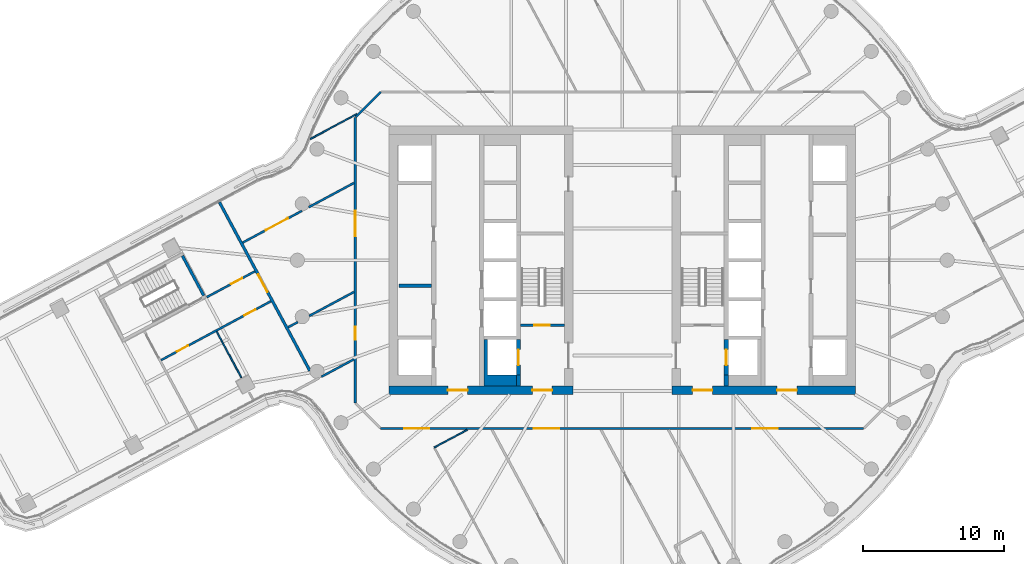
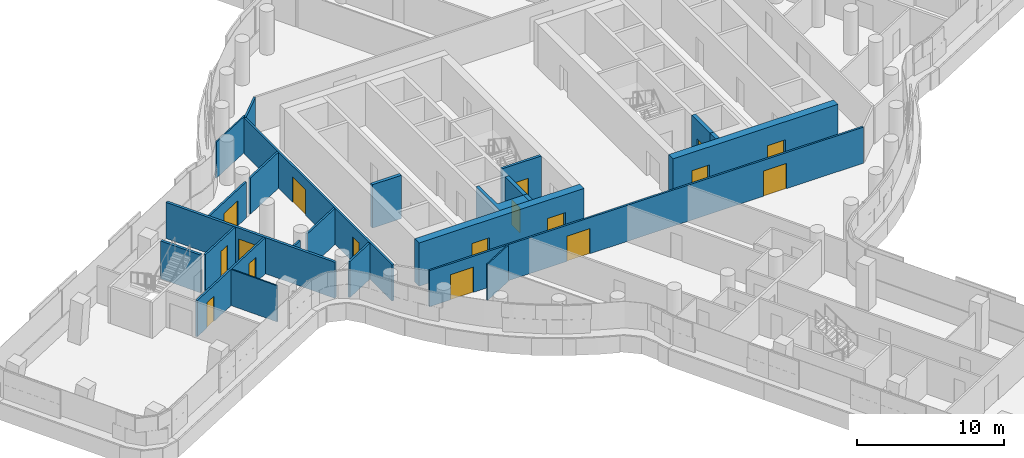
# One storey, part 20 of 33: 24 walls, 17 doors, 17 openings.
"""IFC4 building model written with IfcOpenShell, lengths in metres."""

import ifcopenshell
import ifcopenshell.guid

model = None  # the IFC model being written
_history = None  # IfcOwnerHistory: only IFC2X3 demands one
_inside = {}  # id of a spatial element -> (the spatial element, [elements in it])
_under = {}  # id of a project, library or spatial element -> (it, [spatial elements below it])
_declared = {}  # id of a project -> (the project, [libraries it declares])
_typed = {}  # id of a type object -> (the type object, [elements of that type])
_made_of = {}  # id of a material, layer set ... -> (it, [elements and type objects made of it])


def new_model(schema):
    """Start an empty IFC model of exactly this schema.

    Asked for "IFC4X3", IfcOpenShell would pick the latest addendum, in which some entities
    have other attributes; the version numbers below select the first issue.
    IFC2X3 requires an IfcOwnerHistory on every rooted entity: one is made here for all.
    """
    global model, _history
    if schema == "IFC4X3":
        model = ifcopenshell.file(schema_version=(4, 3, 0, 0))
    else:
        model = ifcopenshell.file(schema=schema)
    _inside.clear()
    _under.clear()
    _declared.clear()
    _typed.clear()
    _made_of.clear()
    _history = None
    if model.schema == "IFC2X3":
        org = make("IfcOrganization", Name="unknown")
        user = make(
            "IfcPersonAndOrganization",
            ThePerson=make("IfcPerson", FamilyName="unknown"),
            TheOrganization=org,
        )
        app = make(
            "IfcApplication",
            ApplicationDeveloper=org,
            Version="unknown",
            ApplicationFullName="unknown",
            ApplicationIdentifier="unknown",
        )
        _history = make(
            "IfcOwnerHistory",
            OwningUser=user,
            OwningApplication=app,
            ChangeAction="ADDED",
            CreationDate=0,
        )
    return model


def make(cls, **values):
    """One entity of the class cls with the attributes given. An attribute that is None is left unset."""
    return model.create_entity(
        cls, **{name: value for name, value in values.items() if value is not None}
    )


def rooted(cls, **values):
    """An entity with a GlobalId (a new one), such as an element, a storey or a relation."""
    return make(cls, GlobalId=ifcopenshell.guid.new(), OwnerHistory=_history, **values)


def si_unit(unit_type, name, prefix=None):
    """IfcSIUnit, for example si_unit("LENGTHUNIT", "METRE", prefix="MILLI")."""
    return make("IfcSIUnit", UnitType=unit_type, Prefix=prefix, Name=name)


def assignment(units):
    """IfcUnitAssignment: the units of a project."""
    return None if units is None else make("IfcUnitAssignment", Units=units)


def point(xyz):
    """IfcCartesianPoint."""
    return None if xyz is None else make("IfcCartesianPoint", Coordinates=xyz)


def direction(xyz):
    """IfcDirection."""
    return None if xyz is None else make("IfcDirection", DirectionRatios=xyz)


def frame(location, z_axis=None, x_axis=None):
    """IfcAxis2Placement3D, a coordinate frame: its origin and axes. An axis left out is left unset."""
    return make(
        "IfcAxis2Placement3D",
        Location=point(location),
        Axis=direction(z_axis),
        RefDirection=direction(x_axis),
    )


def frame_2d(location, x_axis=None):
    """IfcAxis2Placement2D, a coordinate frame in the plane: its origin and x axis."""
    return make(
        "IfcAxis2Placement2D", Location=point(location), RefDirection=direction(x_axis)
    )


def origin():
    """The frame at (0, 0, 0) with its axes left unset."""
    return frame((0.0, 0.0, 0.0))


def place(relative_to, where):
    """IfcLocalPlacement: puts the frame where relative to a parent placement (None: the world)."""
    return make(
        "IfcLocalPlacement", PlacementRelTo=relative_to, RelativePlacement=where
    )


def context(
    kind, dimensions, precision=None, world=None, true_north=None, identifier=None
):
    """IfcGeometricRepresentationContext, for example the 3D "Model" context."""
    return make(
        "IfcGeometricRepresentationContext",
        ContextIdentifier=identifier,
        ContextType=kind,
        CoordinateSpaceDimension=dimensions,
        Precision=precision,
        WorldCoordinateSystem=world,
        TrueNorth=true_north,
    )


def subcontext(parent, identifier, kind, view, scale=None):
    """IfcGeometricRepresentationSubContext, for example "Body" below "Model"."""
    return make(
        "IfcGeometricRepresentationSubContext",
        ContextIdentifier=identifier,
        ContextType=kind,
        ParentContext=parent,
        TargetScale=scale,
        TargetView=view,
    )


def project(units=None, contexts=None):
    """IfcProject with its units and contexts."""
    return rooted(
        "IfcProject",
        Name="project",
        RepresentationContexts=contexts,
        UnitsInContext=assignment(units),
    )


def spatial(cls, under=None, at=None, **own):
    """A site, building, storey or space (cls), placed at a placement, below another one or the project."""
    s = rooted(cls, ObjectPlacement=at, **own)
    if under is not None:
        _under.setdefault(under.id(), (under, []))[1].append(s)
    return s


def polyline(points):
    """IfcPolyline through the points."""
    return make("IfcPolyline", Points=[point(p) for p in points])


def profile(cls, at=None, kind="AREA", **sizes):
    """A parametric profile (cls). Its sizes go by their IFC names, for example OverallWidth=200.0."""
    return make(cls, ProfileType=kind, Position=at, **sizes)


def rectangle(**sizes):
    """IfcRectangleProfileDef."""
    return profile("IfcRectangleProfileDef", **sizes)


def outline(outer, holes=None, kind="AREA"):
    """IfcArbitraryClosedProfileDef: a profile drawn as a closed curve; with holes, ...WithVoids."""
    if holes is None:
        return make("IfcArbitraryClosedProfileDef", ProfileType=kind, OuterCurve=outer)
    return make(
        "IfcArbitraryProfileDefWithVoids",
        ProfileType=kind,
        OuterCurve=outer,
        InnerCurves=holes,
    )


def extrude(swept, where, along, depth):
    """IfcExtrudedAreaSolid: the profile swept, set in the frame where, extruded along a direction by depth."""
    return make(
        "IfcExtrudedAreaSolid",
        SweptArea=swept,
        Position=where,
        ExtrudedDirection=direction(along),
        Depth=depth,
    )


def shape(context_of_items, identifier, shape_type, items):
    """IfcShapeRepresentation: the items that make up one representation, for example the "Body"."""
    return make(
        "IfcShapeRepresentation",
        ContextOfItems=context_of_items,
        RepresentationIdentifier=identifier,
        RepresentationType=shape_type,
        Items=items,
    )


def material(Name=None, Category=None):
    """IfcMaterial."""
    return make("IfcMaterial", Name=Name, Category=Category)


def layer(
    of_material, thickness, ventilated=None, Name=None, Category=None, Priority=None
):
    """IfcMaterialLayer: one layer of a wall or slab, of a material (None: an air gap)."""
    return make(
        "IfcMaterialLayer",
        Material=of_material,
        LayerThickness=thickness,
        IsVentilated=ventilated,
        Name=Name,
        Category=Category,
        Priority=Priority,
    )


def layer_set(layers, Name=None):
    """IfcMaterialLayerSet."""
    return make("IfcMaterialLayerSet", MaterialLayers=layers, LayerSetName=Name)


def made_of(thing, what):
    """Note that an element or type object is made of a material, layer set ...; save() writes the relation."""
    if what is not None:
        _made_of.setdefault(what.id(), (what, []))[1].append(thing)
    return thing


def type_object(cls, material=None, **own):
    """A type object (cls), such as IfcWallType, which elements share."""
    return made_of(rooted(cls, **own), material)


def element(
    cls,
    number,
    at=None,
    inside=None,
    cuts=None,
    type_object=None,
    material=None,
    context=None,
    identifier="Body",
    shape_type=None,
    held_by="IfcProductDefinitionShape",
    body=None,
    shapes=None,
    **own,
):
    """One element of the class cls, such as IfcWall. Its Tag is "e" and its number.

    at: its placement. inside: the storey or other place that contains it. cuts: it is an
    opening in that element (IfcRelVoidsElement). A single representation is given by context,
    identifier, shape_type and body (its items); several are given by shapes. held_by: the class
    of the entity that holds the representations. save() writes the other relations.
    """
    e = rooted(cls, Tag="e%d" % number, ObjectPlacement=at, **own)
    if body is not None:
        shapes = [shape(context, identifier, shape_type, body)]
    if shapes is not None:
        e.Representation = make(held_by, Representations=shapes)
    if inside is not None:
        _inside.setdefault(inside.id(), (inside, []))[1].append(e)
    if cuts is not None:
        rooted(
            "IfcRelVoidsElement", RelatingBuildingElement=cuts, RelatedOpeningElement=e
        )
    if type_object is not None:
        _typed.setdefault(type_object.id(), (type_object, []))[1].append(e)
    return made_of(e, material)


def fill(opening, filler):
    """IfcRelFillsElement: the door or window that sits in an opening."""
    return rooted(
        "IfcRelFillsElement",
        RelatingOpeningElement=opening,
        RelatedBuildingElement=filler,
    )


def aggregate(whole, parts):
    """IfcRelAggregates: a whole, such as a stair, and the parts it consists of."""
    return rooted("IfcRelAggregates", RelatingObject=whole, RelatedObjects=parts)


def save(model, path):
    """Write the relations noted so far, then the file.

    IfcRelAggregates (storeys below a building ...), IfcRelContainedInSpatialStructure (elements
    in a storey), IfcRelDefinesByType, IfcRelAssociatesMaterial and IfcRelDeclares: one each for
    every whole, place, type object, material and project.
    """
    for whole, parts in _under.values():
        aggregate(whole, parts)
    for where, things in _inside.values():
        rooted(
            "IfcRelContainedInSpatialStructure",
            RelatedElements=things,
            RelatingStructure=where,
        )
    for kind, things in _typed.values():
        rooted("IfcRelDefinesByType", RelatedObjects=things, RelatingType=kind)
    for what, things in _made_of.values():
        rooted("IfcRelAssociatesMaterial", RelatedObjects=things, RelatingMaterial=what)
    for by, libraries in _declared.values():
        rooted("IfcRelDeclares", RelatingContext=by, RelatedDefinitions=libraries)
    model.write(path)


model = new_model("IFC4")

# Units and contexts
model_context = context("Model", 3, precision=1e-05, world=origin(), true_north=direction((0.0, 1.0)))
body_context = subcontext(model_context, "Body", "Model", "MODEL_VIEW")
ifc_project = project(units=[si_unit("LENGTHUNIT", "METRE"), si_unit("AREAUNIT", "SQUARE_METRE"), si_unit("VOLUMEUNIT", "CUBIC_METRE"), si_unit("PLANEANGLEUNIT", "RADIAN"), si_unit("MASSUNIT", "GRAM", prefix="KILO")], contexts=[model_context])

# Site, building, storey
site_placement = place(None, origin())
site = spatial("IfcSite", under=ifc_project, at=site_placement, CompositionType="ELEMENT")
building_placement = place(site_placement, origin())
building = spatial("IfcBuilding", under=site, at=building_placement, Name="Tamarind Cross Interchange Tower", CompositionType="ELEMENT")
storey_placement = place(building_placement, frame((0.0, 0.0, 136.75)))
storey = spatial("IfcBuildingStorey", under=building, at=storey_placement, Name="L33", CompositionType="ELEMENT", Elevation=136.75)

# Wall, openings, doors
ifc_material_1 = material(Name="Concrete C60", Category="concrete")
ifc_layer_1 = layer(ifc_material_1, 0.60009765625)
ifc_layer_set_1 = layer_set([ifc_layer_1], Name="Concrete C60")
wall_type_1 = type_object("IfcWallType", Name="Core wall 600 mm Concrete C60", PredefinedType="SHEAR", material=ifc_layer_set_1)
wall_1_placement = place(storey_placement, frame((-16.5, -9.199951171875, 0.0), z_axis=(0.0, 0.0, 1.0), x_axis=(1.0, 0.0, 0.0)))
wall_1 = element("IfcWall", 1, at=wall_1_placement, inside=storey, type_object=wall_type_1, Name="Core wall CWL-L33-W-S", PredefinedType="SHEAR", context=body_context, shape_type="SweptSolid", body=[
    extrude(rectangle(XDim=13.0, YDim=0.60009765625, at=frame_2d((6.5, 0.0))), origin(), (0.0, 0.0, 1.0), 3.610107421875),
])
opening_1_placement = place(wall_1_placement, frame((4.14990234375, 0.0, 0.0)))
opening_1 = element("IfcOpeningElement", 2, at=opening_1_placement, cuts=wall_1, Name="Opening DCW1", PredefinedType="OPENING", context=body_context, shape_type="SweptSolid", body=[
    extrude(rectangle(XDim=1.39990234375, YDim=2.10009765625, at=frame_2d((0.699951171875, 1.050048828125))), frame((0.0, 0.31005859375, 0.0), z_axis=(0.0, -1.0, 0.0), x_axis=(1.0, 0.0, 0.0)), (0.0, 0.0, 1.0), 0.6201171875),
])
opening_2_placement = place(wall_1_placement, frame((10.125, 0.0, 0.0)))
opening_2 = element("IfcOpeningElement", 3, at=opening_2_placement, cuts=wall_1, Name="Opening DCWF", PredefinedType="OPENING", context=body_context, shape_type="SweptSolid", body=[
    extrude(rectangle(XDim=1.39990234375, YDim=2.10009765625, at=frame_2d((0.699951171875, 1.050048828125))), frame((0.0, 0.31005859375, 0.0), z_axis=(0.0, -1.0, 0.0), x_axis=(1.0, 0.0, 0.0)), (0.0, 0.0, 1.0), 0.6201171875),
])
ifc_material_2 = material(Name="Steel, fire-resisting", Category="steel")
door_type_1 = type_object("IfcDoorType", Name="Core fire door 1400 x 2100 FD90", OperationType="SINGLE_SWING_LEFT", PredefinedType="DOOR", material=ifc_material_2)
door_1_placement = place(opening_1_placement, origin())
door_1 = element("IfcDoor", 4, at=door_1_placement, inside=storey, type_object=door_type_1, Name="L33 lift lobby door", OperationType="SINGLE_SWING_LEFT", OverallHeight=2.10009765625, OverallWidth=1.39990234375, PredefinedType="DOOR", context=body_context, shape_type="SweptSolid", body=[
    extrude(rectangle(XDim=1.39990234375, YDim=2.10009765625, at=frame_2d((0.699951171875, 1.050048828125))), frame((0.0, 0.02490234375, 0.0), z_axis=(0.0, -1.0, 0.0), x_axis=(1.0, 0.0, 0.0)), (0.0, 0.0, 1.0), 0.050048828125),
])
fill(opening_1, door_1)
door_2_placement = place(opening_2_placement, origin())
door_2 = element("IfcDoor", 5, at=door_2_placement, inside=storey, type_object=door_type_1, Name="L33 firefighting lobby end door", OperationType="SINGLE_SWING_LEFT", OverallHeight=2.10009765625, OverallWidth=1.39990234375, PredefinedType="DOOR", context=body_context, shape_type="SweptSolid", body=[
    extrude(rectangle(XDim=1.39990234375, YDim=2.10009765625, at=frame_2d((0.699951171875, 1.050048828125))), frame((0.0, 0.02490234375, 0.0), z_axis=(0.0, -1.0, 0.0), x_axis=(1.0, 0.0, 0.0)), (0.0, 0.0, 1.0), 0.050048828125),
])
fill(opening_2, door_2)

wall_2_placement = place(storey_placement, frame((16.5, -9.199951171875, 0.0), z_axis=(0.0, 0.0, 1.0), x_axis=(-1.0, 0.0, 0.0)))
wall_2 = element("IfcWall", 6, at=wall_2_placement, inside=storey, type_object=wall_type_1, Name="Core wall CWL-L33-E-S", PredefinedType="SHEAR", context=body_context, shape_type="SweptSolid", body=[
    extrude(rectangle(XDim=13.0, YDim=0.60009765625, at=frame_2d((6.5, 0.0))), origin(), (0.0, 0.0, 1.0), 3.610107421875),
])
opening_3_placement = place(wall_2_placement, frame((4.14990234375, 0.0, 0.0)))
opening_3 = element("IfcOpeningElement", 7, at=opening_3_placement, cuts=wall_2, Name="Opening DCE1", PredefinedType="OPENING", context=body_context, shape_type="SweptSolid", body=[
    extrude(rectangle(XDim=1.39990234375, YDim=2.10009765625, at=frame_2d((0.699951171875, 1.050048828125))), frame((0.0, 0.31005859375, 0.0), z_axis=(0.0, -1.0, 0.0), x_axis=(1.0, 0.0, 0.0)), (0.0, 0.0, 1.0), 0.6201171875),
])
opening_4_placement = place(wall_2_placement, frame((10.125, 0.0, 0.0)))
opening_4 = element("IfcOpeningElement", 8, at=opening_4_placement, cuts=wall_2, Name="Opening DCEF", PredefinedType="OPENING", context=body_context, shape_type="SweptSolid", body=[
    extrude(rectangle(XDim=1.39990234375, YDim=2.10009765625, at=frame_2d((0.699951171875, 1.050048828125))), frame((0.0, 0.31005859375, 0.0), z_axis=(0.0, -1.0, 0.0), x_axis=(1.0, 0.0, 0.0)), (0.0, 0.0, 1.0), 0.6201171875),
])
door_3_placement = place(opening_3_placement, origin())
door_3 = element("IfcDoor", 9, at=door_3_placement, inside=storey, type_object=door_type_1, Name="L33 lift lobby door", OperationType="SINGLE_SWING_LEFT", OverallHeight=2.10009765625, OverallWidth=1.39990234375, PredefinedType="DOOR", context=body_context, shape_type="SweptSolid", body=[
    extrude(rectangle(XDim=1.39990234375, YDim=2.10009765625, at=frame_2d((0.699951171875, 1.050048828125))), frame((0.0, 0.02490234375, 0.0), z_axis=(0.0, -1.0, 0.0), x_axis=(1.0, 0.0, 0.0)), (0.0, 0.0, 1.0), 0.050048828125),
])
fill(opening_3, door_3)
door_4_placement = place(opening_4_placement, origin())
door_4 = element("IfcDoor", 10, at=door_4_placement, inside=storey, type_object=door_type_1, Name="L33 firefighting lobby end door", OperationType="SINGLE_SWING_LEFT", OverallHeight=2.10009765625, OverallWidth=1.39990234375, PredefinedType="DOOR", context=body_context, shape_type="SweptSolid", body=[
    extrude(rectangle(XDim=1.39990234375, YDim=2.10009765625, at=frame_2d((0.699951171875, 1.050048828125))), frame((0.0, 0.02490234375, 0.0), z_axis=(0.0, -1.0, 0.0), x_axis=(1.0, 0.0, 0.0)), (0.0, 0.0, 1.0), 0.050048828125),
])
fill(opening_4, door_4)

# Walls
ifc_layer_2 = layer(ifc_material_1, 0.300048828125)
ifc_layer_set_2 = layer_set([ifc_layer_2], Name="Concrete C60")
wall_type_2 = type_object("IfcWallType", Name="Core web wall 300 mm Concrete C60", PredefinedType="SHEAR", material=ifc_layer_set_2)
wall_3_placement = place(storey_placement, origin())
element("IfcWall", 11, at=wall_3_placement, inside=storey, type_object=wall_type_2, Name="Core wall CWL-L33-W-BS", PredefinedType="SHEAR", context=body_context, shape_type="SweptSolid", body=[
    extrude(outline(polyline([(-7.5, -8.125), (-9.550048828125, -8.125), (-9.550048828125, -5.625), (-9.800048828125, -5.625), (-9.800048828125, -8.125), (-9.800048828125, -8.89990234375), (-7.5, -8.89990234375), (-7.5, -8.125)])), origin(), (0.0, 0.0, 1.0), 3.610107421875),
])
wall_4_placement = place(storey_placement, frame((-7.35009765625, -8.89990234375, 0.0), z_axis=(0.0, 0.0, 1.0), x_axis=(0.0, 1.0, 0.0)))
element("IfcWall", 12, at=wall_4_placement, inside=storey, type_object=wall_type_2, Name="Core wall CWL-L33-W-BW", PredefinedType="SHEAR", context=body_context, shape_type="SweptSolid", body=[
    extrude(rectangle(XDim=0.77490234375, YDim=0.300048828125, at=frame_2d((0.387451171875, 0.0))), origin(), (0.0, 0.0, 1.0), 3.610107421875),
])

# Wall, opening, door
wall_5_placement = place(storey_placement, frame((-7.35009765625, -8.125, 0.0), z_axis=(0.0, 0.0, 1.0), x_axis=(0.0, 1.0, 0.0)))
wall_5 = element("IfcWall", 13, at=wall_5_placement, inside=storey, type_object=wall_type_2, Name="Core wall CWL-L33-W-FF", PredefinedType="SHEAR", context=body_context, shape_type="SweptSolid", body=[
    extrude(rectangle(XDim=2.5, YDim=0.300048828125, at=frame_2d((1.25, 0.0))), origin(), (0.0, 0.0, 1.0), 3.610107421875),
])
opening_5_placement = place(wall_5_placement, frame((0.699951171875, 0.0, 0.0)))
opening_5 = element("IfcOpeningElement", 14, at=opening_5_placement, cuts=wall_5, Name="Opening LD7L33", PredefinedType="OPENING", context=body_context, shape_type="SweptSolid", body=[
    extrude(rectangle(XDim=1.10009765625, YDim=2.10009765625, at=frame_2d((0.550048828125, 1.050048828125))), frame((0.0, 0.159912109375, 0.0), z_axis=(0.0, -1.0, 0.0), x_axis=(1.0, 0.0, 0.0)), (0.0, 0.0, 1.0), 0.320068359375),
])
ifc_material_3 = material(Name="Stainless steel panel", Category="steel")
door_type_2 = type_object("IfcDoorType", Name="Lift landing door 1100 x 2100 E 120", OperationType="SLIDING_TO_LEFT", PredefinedType="DOOR", material=ifc_material_3)
door_5_placement = place(opening_5_placement, origin())
door_5 = element("IfcDoor", 15, at=door_5_placement, inside=storey, type_object=door_type_2, Name="L33 landing door LF7", OperationType="SLIDING_TO_LEFT", OverallHeight=2.10009765625, OverallWidth=1.10009765625, PredefinedType="DOOR", context=body_context, shape_type="SweptSolid", body=[
    extrude(rectangle(XDim=1.10009765625, YDim=2.10009765625, at=frame_2d((0.550048828125, 1.050048828125))), frame((0.0, 0.02490234375, 0.0), z_axis=(0.0, -1.0, 0.0), x_axis=(1.0, 0.0, 0.0)), (0.0, 0.0, 1.0), 0.050048828125),
])
fill(opening_5, door_5)

# Wall
wall_6_placement = place(storey_placement, frame((7.35009765625, -8.89990234375, 0.0), z_axis=(0.0, 0.0, 1.0), x_axis=(0.0, 1.0, 0.0)))
element("IfcWall", 16, at=wall_6_placement, inside=storey, type_object=wall_type_2, Name="Core wall CWL-L33-E-BW", PredefinedType="SHEAR", context=body_context, shape_type="SweptSolid", body=[
    extrude(rectangle(XDim=0.77490234375, YDim=0.300048828125, at=frame_2d((0.387451171875, 0.0))), origin(), (0.0, 0.0, 1.0), 3.610107421875),
])

# Wall, opening, door
wall_7_placement = place(storey_placement, frame((7.35009765625, -8.125, 0.0), z_axis=(0.0, 0.0, 1.0), x_axis=(0.0, 1.0, 0.0)))
wall_7 = element("IfcWall", 17, at=wall_7_placement, inside=storey, type_object=wall_type_2, Name="Core wall CWL-L33-E-FF", PredefinedType="SHEAR", context=body_context, shape_type="SweptSolid", body=[
    extrude(rectangle(XDim=2.5, YDim=0.300048828125, at=frame_2d((1.25, 0.0))), origin(), (0.0, 0.0, 1.0), 3.610107421875),
])
opening_6_placement = place(wall_7_placement, frame((0.699951171875, 0.0, 0.0)))
opening_6 = element("IfcOpeningElement", 18, at=opening_6_placement, cuts=wall_7, Name="Opening LD19L33", PredefinedType="OPENING", context=body_context, shape_type="SweptSolid", body=[
    extrude(rectangle(XDim=1.10009765625, YDim=2.10009765625, at=frame_2d((0.550048828125, 1.050048828125))), frame((0.0, 0.159912109375, 0.0), z_axis=(0.0, -1.0, 0.0), x_axis=(1.0, 0.0, 0.0)), (0.0, 0.0, 1.0), 0.320068359375),
])
door_6_placement = place(opening_6_placement, origin())
door_6 = element("IfcDoor", 19, at=door_6_placement, inside=storey, type_object=door_type_2, Name="L33 landing door LF19", OperationType="SLIDING_TO_LEFT", OverallHeight=2.10009765625, OverallWidth=1.10009765625, PredefinedType="DOOR", context=body_context, shape_type="SweptSolid", body=[
    extrude(rectangle(XDim=1.10009765625, YDim=2.10009765625, at=frame_2d((0.550048828125, 1.050048828125))), frame((0.0, 0.02490234375, 0.0), z_axis=(0.0, -1.0, 0.0), x_axis=(1.0, 0.0, 0.0)), (0.0, 0.0, 1.0), 0.050048828125),
])
fill(opening_6, door_6)

# Walls
ifc_material_4 = material(Name="Gypsum board partition on steel studs", Category="steel")
ifc_layer_3 = layer(ifc_material_4, 0.10009765625)
ifc_layer_set_3 = layer_set([ifc_layer_3], Name="Gypsum board partition on steel studs")
wall_type_3 = type_object("IfcWallType", Name="Partition 100 mm EI 120", PredefinedType="PARTITIONING", material=ifc_layer_set_3)
wall_8_placement = place(storey_placement, frame((-22.08740234375, 8.577392578125, 0.0), z_axis=(0.0, 0.0, 1.0), x_axis=(0.881198580013, 0.472746298329, 0.0)))
element("IfcWall", 20, at=wall_8_placement, inside=storey, type_object=wall_type_3, Name="Partition L33-043", PredefinedType="PARTITIONING", context=body_context, shape_type="SweptSolid", body=[
    extrude(rectangle(XDim=3.75537109375, YDim=0.10009765625, at=frame_2d((1.877685546875, 0.0))), origin(), (0.0, 0.0, 1.0), 3.010009765625),
])
wall_9_placement = place(storey_placement, frame((-13.31494140625, -13.2548828125, 0.0), z_axis=(0.0, 0.0, 1.0), x_axis=(0.881310541347, 0.472537543176, 0.0)))
element("IfcWall", 21, at=wall_9_placement, inside=storey, type_object=wall_type_3, Name="Partition L33-049", PredefinedType="PARTITIONING", context=body_context, shape_type="SweptSolid", body=[
    extrude(rectangle(XDim=2.6572265625, YDim=0.10009765625, at=frame_2d((1.32861328125, 0.0))), origin(), (0.0, 0.0, 1.0), 3.010009765625),
])
ifc_layer_4 = layer(ifc_material_4, 0.10009765625)
ifc_layer_set_4 = layer_set([ifc_layer_4], Name="Gypsum board partition on steel studs")
wall_type_4 = type_object("IfcWallType", Name="Partition 100 mm EI 90", PredefinedType="PARTITIONING", material=ifc_layer_set_4)
wall_10_placement = place(storey_placement, frame((-28.71142578125, -5.047119140625, 0.0), z_axis=(0.0, 0.0, 1.0), x_axis=(0.472710237091, -0.881217925231, 0.0)))
element("IfcWall", 22, at=wall_10_placement, inside=storey, type_object=wall_type_4, Name="Partition L33-003", PredefinedType="PARTITIONING", context=body_context, shape_type="SweptSolid", body=[
    extrude(rectangle(XDim=3.699951171875, YDim=0.10009765625, at=frame_2d((1.85009765625, 0.0))), origin(), (0.0, 0.0, 1.0), 3.010009765625),
])

# Wall, openings, doors
ifc_layer_5 = layer(ifc_material_4, 0.14990234375)
ifc_layer_set_5 = layer_set([ifc_layer_5], Name="Gypsum board partition on steel studs")
wall_type_5 = type_object("IfcWallType", Name="Partition 150 mm EI 120", PredefinedType="PARTITIONING", material=ifc_layer_set_5)
wall_11_placement = place(storey_placement, frame((-17.10009765625, -11.89990234375, 0.0), z_axis=(0.0, 0.0, 1.0), x_axis=(1.0, 0.0, 0.0)))
wall_11 = element("IfcWall", 23, at=wall_11_placement, inside=storey, type_object=wall_type_5, Name="Partition L33-033", PredefinedType="PARTITIONING", context=body_context, shape_type="SweptSolid", body=[
    extrude(rectangle(XDim=34.1650390625, YDim=0.14990234375, at=frame_2d((17.08251953125, 0.0))), origin(), (0.0, 0.0, 1.0), 3.010009765625),
])
opening_7_placement = place(wall_11_placement, frame((10.823974609375, 0.0, 0.0)))
opening_7 = element("IfcOpeningElement", 24, at=opening_7_placement, cuts=wall_11, Name="Opening D23", PredefinedType="OPENING", context=body_context, shape_type="SweptSolid", body=[
    extrude(rectangle(XDim=1.800048828125, YDim=2.10009765625, at=frame_2d((0.89990234375, 1.050048828125))), frame((0.0, 0.0849609375, 0.0), z_axis=(0.0, -1.0, 0.0), x_axis=(1.0, 0.0, 0.0)), (0.0, 0.0, 1.0), 0.169921875),
])
opening_8_placement = place(wall_11_placement, frame((1.64990234375, 0.0, 0.0)))
opening_8 = element("IfcOpeningElement", 25, at=opening_8_placement, cuts=wall_11, Name="Opening D24", PredefinedType="OPENING", context=body_context, shape_type="SweptSolid", body=[
    extrude(rectangle(XDim=1.800048828125, YDim=2.10009765625, at=frame_2d((0.89990234375, 1.050048828125))), frame((0.0, 0.0849609375, 0.0), z_axis=(0.0, -1.0, 0.0), x_axis=(1.0, 0.0, 0.0)), (0.0, 0.0, 1.0), 0.169921875),
])
opening_9_placement = place(wall_11_placement, frame((26.306884765625, 0.0, 0.0)))
opening_9 = element("IfcOpeningElement", 26, at=opening_9_placement, cuts=wall_11, Name="Opening D25", PredefinedType="OPENING", context=body_context, shape_type="SweptSolid", body=[
    extrude(rectangle(XDim=1.800048828125, YDim=2.10009765625, at=frame_2d((0.89990234375, 1.050048828125))), frame((0.0, 0.0849609375, 0.0), z_axis=(0.0, -1.0, 0.0), x_axis=(1.0, 0.0, 0.0)), (0.0, 0.0, 1.0), 0.169921875),
])
ifc_material_5 = material(Name="Fire-resisting door set")
door_type_3 = type_object("IfcDoorType", Name="Interior door 1800 x 2100 FD60S", OperationType="DOUBLE_DOOR_SINGLE_SWING", PredefinedType="DOOR", material=ifc_material_5)
door_7_placement = place(opening_7_placement, origin())
door_7 = element("IfcDoor", 27, at=door_7_placement, inside=storey, type_object=door_type_3, Name="Door D23", OperationType="DOUBLE_DOOR_SINGLE_SWING", OverallHeight=2.10009765625, OverallWidth=1.800048828125, PredefinedType="DOOR", context=body_context, shape_type="SweptSolid", body=[
    extrude(rectangle(XDim=1.800048828125, YDim=2.10009765625, at=frame_2d((0.89990234375, 1.050048828125))), frame((0.0, 0.02490234375, 0.0), z_axis=(0.0, -1.0, 0.0), x_axis=(1.0, 0.0, 0.0)), (0.0, 0.0, 1.0), 0.050048828125),
])
fill(opening_7, door_7)
door_8_placement = place(opening_8_placement, frame((1.800048828125, 0.0, 0.0), z_axis=(0.0, 0.0, 1.0), x_axis=(-1.0, 0.0, 0.0)))
door_8 = element("IfcDoor", 28, at=door_8_placement, inside=storey, type_object=door_type_3, Name="Door D24", OperationType="DOUBLE_DOOR_SINGLE_SWING", OverallHeight=2.10009765625, OverallWidth=1.800048828125, PredefinedType="DOOR", context=body_context, shape_type="SweptSolid", body=[
    extrude(rectangle(XDim=1.800048828125, YDim=2.10009765625, at=frame_2d((0.89990234375, 1.050048828125))), frame((0.0, 0.02490234375, 0.0), z_axis=(0.0, -1.0, 0.0), x_axis=(1.0, 0.0, 0.0)), (0.0, 0.0, 1.0), 0.050048828125),
])
fill(opening_8, door_8)
door_9_placement = place(opening_9_placement, frame((1.800048828125, 0.0, 0.0), z_axis=(0.0, 0.0, 1.0), x_axis=(-1.0, 0.0, 0.0)))
door_9 = element("IfcDoor", 29, at=door_9_placement, inside=storey, type_object=door_type_3, Name="Door D25", OperationType="DOUBLE_DOOR_SINGLE_SWING", OverallHeight=2.10009765625, OverallWidth=1.800048828125, PredefinedType="DOOR", context=body_context, shape_type="SweptSolid", body=[
    extrude(rectangle(XDim=1.800048828125, YDim=2.10009765625, at=frame_2d((0.89990234375, 1.050048828125))), frame((0.0, 0.02490234375, 0.0), z_axis=(0.0, -1.0, 0.0), x_axis=(1.0, 0.0, 0.0)), (0.0, 0.0, 1.0), 0.050048828125),
])
fill(opening_9, door_9)

wall_12_placement = place(storey_placement, frame((-32.64599609375, -7.072509765625, 0.0), z_axis=(0.0, 0.0, 1.0), x_axis=(0.881220174389, 0.472706044229, 0.0)))
wall_12 = element("IfcWall", 30, at=wall_12_placement, inside=storey, type_object=wall_type_5, Name="Partition L33-035", PredefinedType="PARTITIONING", context=body_context, shape_type="SweptSolid", body=[
    extrude(rectangle(XDim=8.81982421875, YDim=0.14990234375, at=frame_2d((4.409912109375, 0.0))), origin(), (0.0, 0.0, 1.0), 3.010009765625),
])
opening_10_placement = place(wall_12_placement, frame((6.674560546875, 0.0, 0.0)))
opening_10 = element("IfcOpeningElement", 31, at=opening_10_placement, cuts=wall_12, Name="Opening D29", PredefinedType="OPENING", context=body_context, shape_type="SweptSolid", body=[
    extrude(rectangle(XDim=0.89990234375, YDim=2.10009765625, at=frame_2d((0.449951171875, 1.050048828125))), frame((0.0, 0.0849609375, 0.0), z_axis=(0.0, -1.0, 0.0), x_axis=(1.0, 0.0, 0.0)), (0.0, 0.0, 1.0), 0.169921875),
])
opening_11_placement = place(wall_12_placement, frame((1.27490234375, 0.0, 0.0)))
opening_11 = element("IfcOpeningElement", 32, at=opening_11_placement, cuts=wall_12, Name="Opening D30", PredefinedType="OPENING", context=body_context, shape_type="SweptSolid", body=[
    extrude(rectangle(XDim=0.89990234375, YDim=2.10009765625, at=frame_2d((0.449951171875, 1.050048828125))), frame((0.0, 0.0849609375, 0.0), z_axis=(0.0, -1.0, 0.0), x_axis=(1.0, 0.0, 0.0)), (0.0, 0.0, 1.0), 0.169921875),
])
door_type_4 = type_object("IfcDoorType", Name="Interior door 900 x 2100 FD60S", OperationType="SINGLE_SWING_LEFT", PredefinedType="DOOR", material=ifc_material_5)
door_10_placement = place(opening_10_placement, frame((0.89990234375, 0.0, 0.0), z_axis=(0.0, 0.0, 1.0), x_axis=(-1.0, 0.0, 0.0)))
door_10 = element("IfcDoor", 33, at=door_10_placement, inside=storey, type_object=door_type_4, Name="Door D29", OperationType="SINGLE_SWING_RIGHT", OverallHeight=2.10009765625, OverallWidth=0.89990234375, PredefinedType="DOOR", context=body_context, shape_type="SweptSolid", body=[
    extrude(rectangle(XDim=0.89990234375, YDim=2.10009765625, at=frame_2d((0.449951171875, 1.050048828125))), frame((0.0, 0.02490234375, 0.0), z_axis=(0.0, -1.0, 0.0), x_axis=(1.0, 0.0, 0.0)), (0.0, 0.0, 1.0), 0.050048828125),
])
fill(opening_10, door_10)
door_11_placement = place(opening_11_placement, frame((0.89990234375, 0.0, 0.0), z_axis=(0.0, 0.0, 1.0), x_axis=(-1.0, 0.0, 0.0)))
door_11 = element("IfcDoor", 34, at=door_11_placement, inside=storey, type_object=door_type_4, Name="Door D30", OperationType="SINGLE_SWING_LEFT", OverallHeight=2.10009765625, OverallWidth=0.89990234375, PredefinedType="DOOR", context=body_context, shape_type="SweptSolid", body=[
    extrude(rectangle(XDim=0.89990234375, YDim=2.10009765625, at=frame_2d((0.449951171875, 1.050048828125))), frame((0.0, 0.02490234375, 0.0), z_axis=(0.0, -1.0, 0.0), x_axis=(1.0, 0.0, 0.0)), (0.0, 0.0, 1.0), 0.050048828125),
])
fill(opening_11, door_11)

# Wall, opening, door
wall_13_placement = place(storey_placement, frame((-29.40625, -2.611083984375, 0.0), z_axis=(0.0, 0.0, 1.0), x_axis=(0.881247649641, 0.472654821199, 0.0)))
wall_13 = element("IfcWall", 35, at=wall_13_placement, inside=storey, type_object=wall_type_5, Name="Partition L33-036", PredefinedType="PARTITIONING", context=body_context, shape_type="SweptSolid", body=[
    extrude(rectangle(XDim=3.860595703125, YDim=0.14990234375, at=frame_2d((1.93017578125, 0.0))), origin(), (0.0, 0.0, 1.0), 3.010009765625),
])
opening_12_placement = place(wall_13_placement, frame((1.949951171875, 0.0, 0.0)))
opening_12 = element("IfcOpeningElement", 36, at=opening_12_placement, cuts=wall_13, Name="Opening D31", PredefinedType="OPENING", context=body_context, shape_type="SweptSolid", body=[
    extrude(rectangle(XDim=0.89990234375, YDim=2.10009765625, at=frame_2d((0.449951171875, 1.050048828125))), frame((0.0, 0.0849609375, 0.0), z_axis=(0.0, -1.0, 0.0), x_axis=(1.0, 0.0, 0.0)), (0.0, 0.0, 1.0), 0.169921875),
])
door_12_placement = place(opening_12_placement, origin())
door_12 = element("IfcDoor", 37, at=door_12_placement, inside=storey, type_object=door_type_4, Name="Door D31", OperationType="SINGLE_SWING_LEFT", OverallHeight=2.10009765625, OverallWidth=0.89990234375, PredefinedType="DOOR", context=body_context, shape_type="SweptSolid", body=[
    extrude(rectangle(XDim=0.89990234375, YDim=2.10009765625, at=frame_2d((0.449951171875, 1.050048828125))), frame((0.0, 0.02490234375, 0.0), z_axis=(0.0, -1.0, 0.0), x_axis=(1.0, 0.0, 0.0)), (0.0, 0.0, 1.0), 0.050048828125),
])
fill(opening_12, door_12)

wall_14_placement = place(storey_placement, frame((-26.867919921875, 1.247314453125, 0.0), z_axis=(0.0, 0.0, 1.0), x_axis=(0.881240689848, 0.472667797249, 0.0)))
wall_14 = element("IfcWall", 38, at=wall_14_placement, inside=storey, type_object=wall_type_5, Name="Partition L33-037", PredefinedType="PARTITIONING", context=body_context, shape_type="SweptSolid", body=[
    extrude(rectangle(XDim=4.75, YDim=0.14990234375, at=frame_2d((2.375, 0.0))), origin(), (0.0, 0.0, 1.0), 3.010009765625),
])
opening_13_placement = place(wall_14_placement, frame((1.85009765625, 0.0, 0.0)))
opening_13 = element("IfcOpeningElement", 39, at=opening_13_placement, cuts=wall_14, Name="Opening D32", PredefinedType="OPENING", context=body_context, shape_type="SweptSolid", body=[
    extrude(rectangle(XDim=1.800048828125, YDim=2.10009765625, at=frame_2d((0.89990234375, 1.050048828125))), frame((0.0, 0.0849609375, 0.0), z_axis=(0.0, -1.0, 0.0), x_axis=(1.0, 0.0, 0.0)), (0.0, 0.0, 1.0), 0.169921875),
])
door_13_placement = place(opening_13_placement, origin())
door_13 = element("IfcDoor", 40, at=door_13_placement, inside=storey, type_object=door_type_3, Name="Door D32", OperationType="DOUBLE_DOOR_SINGLE_SWING", OverallHeight=2.10009765625, OverallWidth=1.800048828125, PredefinedType="DOOR", context=body_context, shape_type="SweptSolid", body=[
    extrude(rectangle(XDim=1.800048828125, YDim=2.10009765625, at=frame_2d((0.89990234375, 1.050048828125))), frame((0.0, 0.02490234375, 0.0), z_axis=(0.0, -1.0, 0.0), x_axis=(1.0, 0.0, 0.0)), (0.0, 0.0, 1.0), 0.050048828125),
])
fill(opening_13, door_13)

# Walls
wall_15_placement = place(storey_placement, frame((-22.20654296875, 3.747314453125, 0.0), z_axis=(0.0, 0.0, 1.0), x_axis=(0.881220117458, 0.47270615036, 0.0)))
element("IfcWall", 41, at=wall_15_placement, inside=storey, type_object=wall_type_5, Name="Partition L33-038", PredefinedType="PARTITIONING", context=body_context, shape_type="SweptSolid", body=[
    extrude(rectangle(XDim=3.6474609375, YDim=0.14990234375, at=frame_2d((1.82373046875, 0.0))), origin(), (0.0, 0.0, 1.0), 3.010009765625),
])
wall_16_placement = place(storey_placement, frame((-23.65283203125, -4.74462890625, 0.0), z_axis=(0.0, 0.0, 1.0), x_axis=(0.881293800816, 0.472568763932, 0.0)))
element("IfcWall", 42, at=wall_16_placement, inside=storey, type_object=wall_type_5, Name="Partition L33-039", PredefinedType="PARTITIONING", context=body_context, shape_type="SweptSolid", body=[
    extrude(rectangle(XDim=0.780029296875, YDim=0.14990234375, at=frame_2d((0.39013671875, 0.0))), origin(), (0.0, 0.0, 1.0), 3.010009765625),
])
wall_17_placement = place(storey_placement, frame((-22.15478515625, -3.94091796875, 0.0), z_axis=(0.0, 0.0, 1.0), x_axis=(0.881228008937, 0.472691438747, 0.0)))
element("IfcWall", 43, at=wall_17_placement, inside=storey, type_object=wall_type_5, Name="Partition L33-040", PredefinedType="PARTITIONING", context=body_context, shape_type="SweptSolid", body=[
    extrude(rectangle(XDim=3.588623046875, YDim=0.14990234375, at=frame_2d((1.79443359375, 0.0))), origin(), (0.0, 0.0, 1.0), 3.010009765625),
])
wall_18_placement = place(storey_placement, frame((-21.29638671875, -8.24658203125, 0.0), z_axis=(0.0, 0.0, 1.0), x_axis=(0.881189680889, 0.472762885911, 0.0)))
element("IfcWall", 44, at=wall_18_placement, inside=storey, type_object=wall_type_5, Name="Partition L33-042", PredefinedType="PARTITIONING", context=body_context, shape_type="SweptSolid", body=[
    extrude(rectangle(XDim=2.614501953125, YDim=0.14990234375, at=frame_2d((1.30712890625, 0.0))), origin(), (0.0, 0.0, 1.0), 3.010009765625),
])
wall_19_placement = place(storey_placement, frame((-18.87158203125, 10.12841796875, 0.0), z_axis=(0.0, 0.0, 1.0), x_axis=(0.707106781187, 0.707106781187, 0.0)))
element("IfcWall", 45, at=wall_19_placement, inside=storey, type_object=wall_type_5, Name="Partition L33-076", PredefinedType="PARTITIONING", context=body_context, shape_type="SweptSolid", body=[
    extrude(rectangle(XDim=2.50537109375, YDim=0.14990234375, at=frame_2d((1.252685546875, 0.0))), origin(), (0.0, 0.0, 1.0), 3.010009765625),
])

# Wall, openings, doors
wall_20_placement = place(storey_placement, frame((-18.89990234375, -10.10009765625, 0.0), z_axis=(0.0, 0.0, 1.0), x_axis=(0.0, 1.0, 0.0)))
wall_20 = element("IfcWall", 46, at=wall_20_placement, inside=storey, type_object=wall_type_5, Name="Partition L33-078", PredefinedType="PARTITIONING", context=body_context, shape_type="SweptSolid", body=[
    extrude(rectangle(XDim=20.2001953125, YDim=0.14990234375, at=frame_2d((10.10009765625, 0.0))), origin(), (0.0, 0.0, 1.0), 3.010009765625),
])
opening_14_placement = place(wall_20_placement, frame((11.804931640625, 0.0, 0.0)))
opening_14 = element("IfcOpeningElement", 47, at=opening_14_placement, cuts=wall_20, Name="Opening D42", PredefinedType="OPENING", context=body_context, shape_type="SweptSolid", body=[
    extrude(rectangle(XDim=1.800048828125, YDim=2.10009765625, at=frame_2d((0.89990234375, 1.050048828125))), frame((0.0, 0.0849609375, 0.0), z_axis=(0.0, -1.0, 0.0), x_axis=(1.0, 0.0, 0.0)), (0.0, 0.0, 1.0), 0.169921875),
])
opening_15_placement = place(wall_20_placement, frame((4.489013671875, 0.0, 0.0)))
opening_15 = element("IfcOpeningElement", 48, at=opening_15_placement, cuts=wall_20, Name="Opening D43", PredefinedType="OPENING", context=body_context, shape_type="SweptSolid", body=[
    extrude(rectangle(XDim=0.89990234375, YDim=2.10009765625, at=frame_2d((0.449951171875, 1.050048828125))), frame((0.0, 0.0849609375, 0.0), z_axis=(0.0, -1.0, 0.0), x_axis=(1.0, 0.0, 0.0)), (0.0, 0.0, 1.0), 0.169921875),
])
door_14_placement = place(opening_14_placement, frame((1.800048828125, 0.0, 0.0), z_axis=(0.0, 0.0, 1.0), x_axis=(-1.0, 0.0, 0.0)))
door_14 = element("IfcDoor", 49, at=door_14_placement, inside=storey, type_object=door_type_3, Name="Door D42", OperationType="DOUBLE_DOOR_SINGLE_SWING", OverallHeight=2.10009765625, OverallWidth=1.800048828125, PredefinedType="DOOR", context=body_context, shape_type="SweptSolid", body=[
    extrude(rectangle(XDim=1.800048828125, YDim=2.10009765625, at=frame_2d((0.89990234375, 1.050048828125))), frame((0.0, 0.02490234375, 0.0), z_axis=(0.0, -1.0, 0.0), x_axis=(1.0, 0.0, 0.0)), (0.0, 0.0, 1.0), 0.050048828125),
])
fill(opening_14, door_14)
door_15_placement = place(opening_15_placement, origin())
door_15 = element("IfcDoor", 50, at=door_15_placement, inside=storey, type_object=door_type_4, Name="Door D43", OperationType="SINGLE_SWING_RIGHT", OverallHeight=2.10009765625, OverallWidth=0.89990234375, PredefinedType="DOOR", context=body_context, shape_type="SweptSolid", body=[
    extrude(rectangle(XDim=0.89990234375, YDim=2.10009765625, at=frame_2d((0.449951171875, 1.050048828125))), frame((0.0, 0.02490234375, 0.0), z_axis=(0.0, -1.0, 0.0), x_axis=(1.0, 0.0, 0.0)), (0.0, 0.0, 1.0), 0.050048828125),
])
fill(opening_15, door_15)

# Wall, opening, door
ifc_layer_6 = layer(ifc_material_4, 0.199951171875)
ifc_layer_set_6 = layer_set([ifc_layer_6], Name="Gypsum board partition on steel studs")
wall_type_6 = type_object("IfcWallType", Name="Partition 200 mm EI 180", PredefinedType="PARTITIONING", material=ifc_layer_set_6)
wall_21_placement = place(storey_placement, frame((-28.515380859375, 4.10693359375, 0.0), z_axis=(0.0, 0.0, 1.0), x_axis=(0.472704031368, -0.881221254129, 0.0)))
wall_21 = element("IfcWall", 51, at=wall_21_placement, inside=storey, type_object=wall_type_6, Name="Partition L33-005", PredefinedType="PARTITIONING", context=body_context, shape_type="SweptSolid", body=[
    extrude(rectangle(XDim=13.544677734375, YDim=0.199951171875, at=frame_2d((6.7724609375, 0.0))), origin(), (0.0, 0.0, 1.0), 3.010009765625),
])
opening_16_placement = place(wall_21_placement, frame((5.799072265625, 0.0, 0.0)))
opening_16 = element("IfcOpeningElement", 52, at=opening_16_placement, cuts=wall_21, Name="Opening D02", PredefinedType="OPENING", context=body_context, shape_type="SweptSolid", body=[
    extrude(rectangle(XDim=1.39990234375, YDim=2.10009765625, at=frame_2d((0.699951171875, 1.050048828125))), frame((0.0, 0.10986328125, 0.0), z_axis=(0.0, -1.0, 0.0), x_axis=(1.0, 0.0, 0.0)), (0.0, 0.0, 1.0), 0.219970703125),
])
door_type_5 = type_object("IfcDoorType", Name="Interior door 1400 x 2100 FD120S", OperationType="DOUBLE_DOOR_SINGLE_SWING", PredefinedType="DOOR", material=ifc_material_5)
door_16_placement = place(opening_16_placement, origin())
door_16 = element("IfcDoor", 53, at=door_16_placement, inside=storey, type_object=door_type_5, Name="Door D02", OperationType="DOUBLE_DOOR_SINGLE_SWING", OverallHeight=2.10009765625, OverallWidth=1.39990234375, PredefinedType="DOOR", context=body_context, shape_type="SweptSolid", body=[
    extrude(rectangle(XDim=1.39990234375, YDim=2.10009765625, at=frame_2d((0.699951171875, 1.050048828125))), frame((0.0, 0.02490234375, 0.0), z_axis=(0.0, -1.0, 0.0), x_axis=(1.0, 0.0, 0.0)), (0.0, 0.0, 1.0), 0.050048828125),
])
fill(opening_16, door_16)

# Wall
ifc_material_6 = material(Name="Concrete C40", Category="concrete")
ifc_layer_7 = layer(ifc_material_6, 0.25)
ifc_layer_set_7 = layer_set([ifc_layer_7], Name="Concrete C40")
wall_type_7 = type_object("IfcWallType", Name="Shaft and lobby wall 250 mm Concrete C40", PredefinedType="PARTITIONING", material=ifc_layer_set_7)
wall_22_placement = place(storey_placement, frame((-15.800048828125, -1.7919921875, 0.0), z_axis=(0.0, 0.0, 1.0), x_axis=(1.0, 0.0, 0.0)))
element("IfcWall", 54, at=wall_22_placement, inside=storey, type_object=wall_type_7, Name="Shaft wall CWL-L33-W-FPA1", PredefinedType="PARTITIONING", context=body_context, shape_type="SweptSolid", body=[
    extrude(rectangle(XDim=2.300048828125, YDim=0.25, at=frame_2d((1.14990234375, 0.0))), origin(), (0.0, 0.0, 1.0), 3.610107421875),
])

# Wall, opening, door
ifc_layer_8 = layer(ifc_material_6, 0.199951171875)
ifc_layer_set_8 = layer_set([ifc_layer_8], Name="Concrete C40")
wall_type_8 = type_object("IfcWallType", Name="Stair shaft wall 200 mm Concrete C40", PredefinedType="SHEAR", material=ifc_layer_set_8)
wall_23_placement = place(storey_placement, frame((-7.199951171875, -4.60009765625, 0.0), z_axis=(0.0, 0.0, 1.0), x_axis=(1.0, 0.0, 0.0)))
wall_23 = element("IfcWall", 55, at=wall_23_placement, inside=storey, type_object=wall_type_8, Name="Core wall CWL-L33-W-SD", PredefinedType="SHEAR", context=body_context, shape_type="SweptSolid", body=[
    extrude(rectangle(XDim=3.099853515625, YDim=0.199951171875, at=frame_2d((1.5498046875, 0.0))), origin(), (0.0, 0.0, 1.0), 3.610107421875),
])
opening_17_placement = place(wall_23_placement, frame((0.97509765625, 0.0, 0.0)))
opening_17 = element("IfcOpeningElement", 56, at=opening_17_placement, cuts=wall_23, Name="Opening DCW6", PredefinedType="OPENING", context=body_context, shape_type="SweptSolid", body=[
    extrude(rectangle(XDim=1.10009765625, YDim=2.10009765625, at=frame_2d((0.550048828125, 1.050048828125))), frame((0.0, 0.10986328125, 0.0), z_axis=(0.0, -1.0, 0.0), x_axis=(1.0, 0.0, 0.0)), (0.0, 0.0, 1.0), 0.219970703125),
])
door_type_6 = type_object("IfcDoorType", Name="Core fire door 1100 x 2100 FD90", OperationType="SINGLE_SWING_LEFT", PredefinedType="DOOR", material=ifc_material_2)
door_17_placement = place(opening_17_placement, origin())
door_17 = element("IfcDoor", 57, at=door_17_placement, inside=storey, type_object=door_type_6, Name="L33 stair door", OperationType="SINGLE_SWING_LEFT", OverallHeight=2.10009765625, OverallWidth=1.10009765625, PredefinedType="DOOR", context=body_context, shape_type="SweptSolid", body=[
    extrude(rectangle(XDim=1.10009765625, YDim=2.10009765625, at=frame_2d((0.550048828125, 1.050048828125))), frame((0.0, 0.02490234375, 0.0), z_axis=(0.0, -1.0, 0.0), x_axis=(1.0, 0.0, 0.0)), (0.0, 0.0, 1.0), 0.050048828125),
])
fill(opening_17, door_17)

# Wall
wall_24_placement = place(storey_placement, frame((-31.135986328125, 0.3193359375, -0.139892578125), z_axis=(0.0, 0.0, 1.0), x_axis=(0.47272523169, -0.88120988154, 0.0)))
element("IfcWall", 58, at=wall_24_placement, inside=storey, type_object=wall_type_8, Name="Core wall CWL-L33-ST5-CE", PredefinedType="SHEAR", context=body_context, shape_type="SweptSolid", body=[
    extrude(rectangle(XDim=3.199951171875, YDim=0.199951171875, at=frame_2d((1.60009765625, 0.0))), origin(), (0.0, 0.0, 1.0), 3.14990234375),
])

save(model, "model.ifc")
